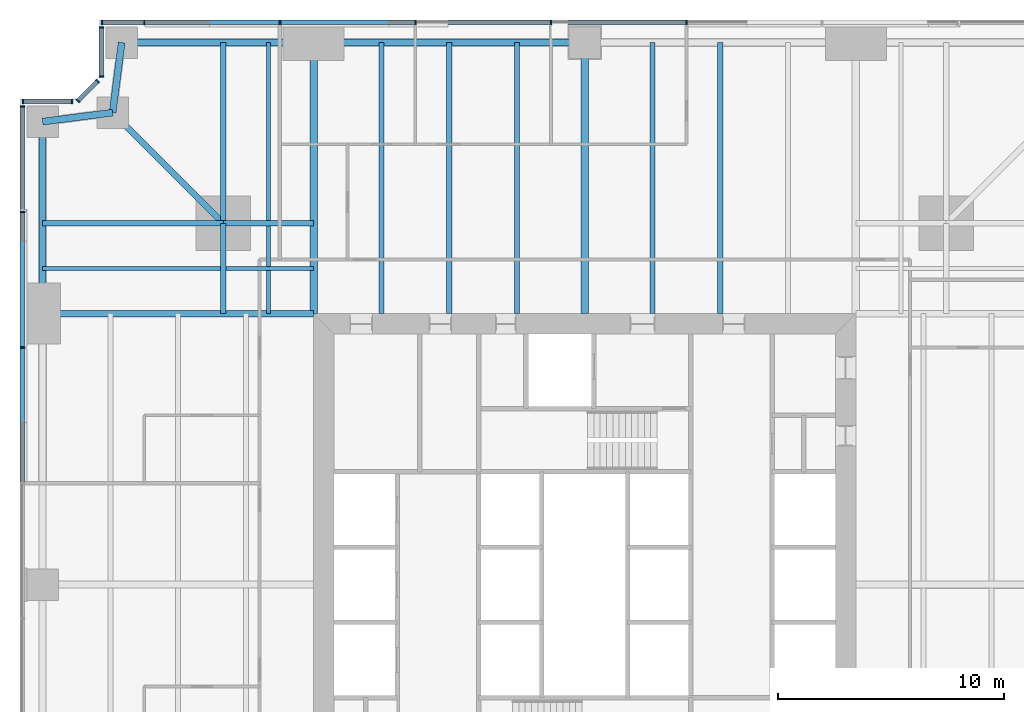
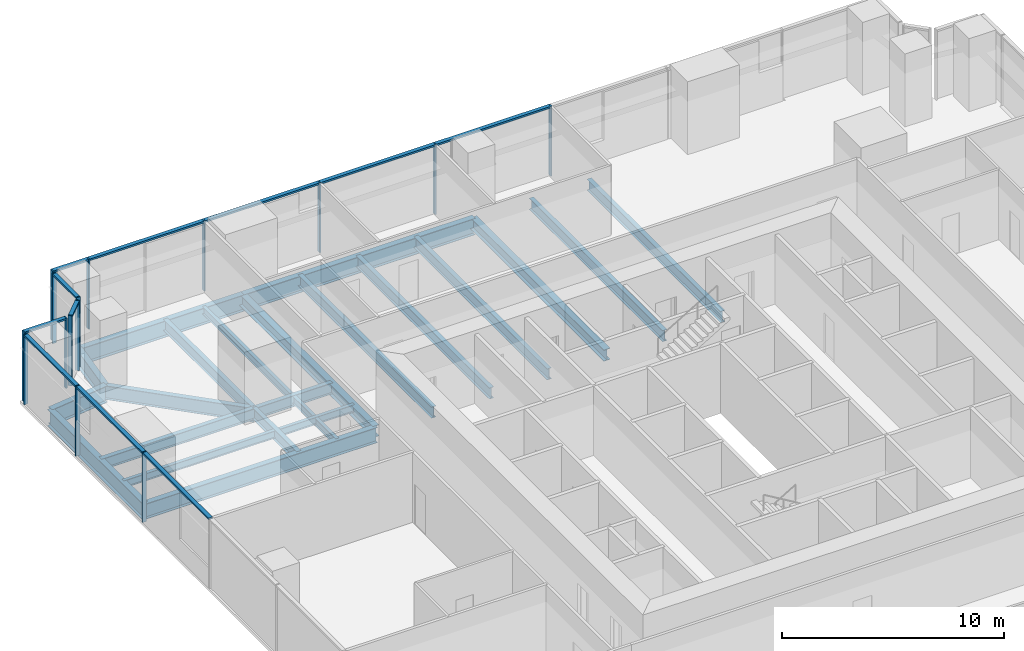
# One storey, part 6 of 16: 26 members, 23 beams, 5 elements without a shape of their own.
"""IFC4 building model written with IfcOpenShell, lengths in metres."""

from ifc_helpers import new_model, si_unit, direction, frame, origin, origin_2d, place, context, subcontext, project, spatial, rectangle, i_section, extrude, material, material_profile, profile_set, type_object, element, aggregate, save


model = new_model("IFC4")

# Units and contexts
model_context = context("Model", 3, precision=1e-05, world=origin(), true_north=direction((0.0, 1.0)))
body_context = subcontext(model_context, "Body", "Model", "MODEL_VIEW")
ifc_project = project(units=[si_unit("LENGTHUNIT", "METRE"), si_unit("AREAUNIT", "SQUARE_METRE"), si_unit("VOLUMEUNIT", "CUBIC_METRE"), si_unit("PLANEANGLEUNIT", "RADIAN"), si_unit("MASSUNIT", "GRAM", prefix="KILO")], contexts=[model_context])

# Site, building, storey
site_placement = place(None, origin())
site = spatial("IfcSite", under=ifc_project, at=site_placement, CompositionType="ELEMENT")
building_placement = place(site_placement, origin())
building = spatial("IfcBuilding", under=site, at=building_placement, Name="Fenwick Lantern Interchange", CompositionType="ELEMENT")
storey_placement = place(building_placement, frame((0.0, 0.0, 75.0)))
storey = spatial("IfcBuildingStorey", under=building, at=storey_placement, Name="L17", CompositionType="ELEMENT", Elevation=75.0)

# Beams
ifc_material_1 = material(Name="Steel ASTM A992 Grade 50", Category="steel")
ifc_material_profile_1 = material_profile(ifc_material_1, i_section(OverallWidth=0.3046875, OverallDepth=0.911865234375, WebThickness=0.015869140625, FlangeThickness=0.02392578125, at=origin_2d()), Name="W36X150")
ifc_profile_set_1 = profile_set([ifc_material_profile_1], Name="Steel ASTM A992 Grade 50")
beam_type_1 = type_object("IfcBeamType", Name="EDGE BEAM W36X150", PredefinedType="SPANDREL", material=ifc_profile_set_1)
beam_1_placement = place(storey_placement, frame((25.0, 49.0, -0.60595703125), z_axis=(-1.0, 0.0, 0.0), x_axis=(0.0, -1.0, 0.0)))
element("IfcBeam", 1, at=beam_1_placement, inside=storey, type_object=beam_type_1, Name="L17/FR/N/EB3", PredefinedType="SPANDREL", context=body_context, shape_type="SweptSolid", body=[
    extrude(i_section(OverallWidth=0.3046875, OverallDepth=0.911865234375, WebThickness=0.015869140625, FlangeThickness=0.02392578125, at=origin_2d()), origin(), (0.0, 0.0, 1.0), 12.0),
])
beam_2_placement = place(storey_placement, frame((13.0, 49.0, -0.60595703125), z_axis=(-1.0, 0.0, 0.0), x_axis=(0.0, -1.0, 0.0)))
element("IfcBeam", 2, at=beam_2_placement, inside=storey, type_object=beam_type_1, Name="L17/FR/N/EB4", PredefinedType="SPANDREL", context=body_context, shape_type="SweptSolid", body=[
    extrude(i_section(OverallWidth=0.3046875, OverallDepth=0.911865234375, WebThickness=0.015869140625, FlangeThickness=0.02392578125, at=origin_2d()), origin(), (0.0, 0.0, 1.0), 8.5),
])
for number, where, z_axis, x_axis, name in (
    (3, (4.5, 49.0, -0.60595703125), (-0.127936641807, -0.991782342897, 0.0), (0.991782342897, -0.127936641807, 0.0), "L17/FR/N/EBR1"),
    (4, (4.10009765625, 45.89990234375, -0.60595703125), (-0.991782342897, -0.127936641807, 0.0), (0.127936641807, -0.991782342897, 0.0), "L17/FR/N/EBR2"),
):
    element("IfcBeam", number, at=place(storey_placement, frame(where, z_axis=z_axis, x_axis=x_axis)), inside=storey, type_object=beam_type_1, Name=name, PredefinedType="SPANDREL", context=body_context, shape_type="SweptSolid", body=[
        extrude(i_section(OverallWidth=0.3046875, OverallDepth=0.911865234375, WebThickness=0.015869140625, FlangeThickness=0.02392578125, at=origin_2d()), origin(), (0.0, 0.0, 1.0), 3.125732421875),
    ])
beam_3_placement = place(storey_placement, frame((1.0, 45.5, -0.60595703125), z_axis=(0.0, -1.0, 0.0), x_axis=(1.0, 0.0, 0.0)))
element("IfcBeam", 5, at=beam_3_placement, inside=storey, type_object=beam_type_1, Name="L17/FR/W/EB1", PredefinedType="SPANDREL", context=body_context, shape_type="SweptSolid", body=[
    extrude(i_section(OverallWidth=0.3046875, OverallDepth=0.911865234375, WebThickness=0.015869140625, FlangeThickness=0.02392578125, at=origin_2d()), origin(), (0.0, 0.0, 1.0), 8.5),
])
ifc_material_profile_2 = material_profile(ifc_material_1, i_section(OverallWidth=0.22900390625, OverallDepth=0.612060546875, WebThickness=0.011962890625, FlangeThickness=0.01953125, at=origin_2d()), Name="W24X84")
ifc_profile_set_2 = profile_set([ifc_material_profile_2], Name="Steel ASTM A992 Grade 50")
beam_type_2 = type_object("IfcBeamType", Name="FLOOR BEAM W24X84", PredefinedType="BEAM", material=ifc_profile_set_2)
for number, where, z_axis, x_axis, name in (
    (6, (31.0, 49.0, -0.4560546875), (0.0, -1.0, 0.0), (1.0, 0.0, 0.0), "L17/FR/N/R03"),
    (7, (28.0, 49.0, -0.4560546875), (0.0, -1.0, 0.0), (1.0, 0.0, 0.0), "L17/FR/N/R04"),
    (8, (22.0, 49.0, -0.4560546875), (0.0, -1.0, 0.0), (1.0, 0.0, 0.0), "L17/FR/N/R06"),
    (9, (19.0, 49.0, -0.4560546875), (0.0, -1.0, 0.0), (1.0, 0.0, 0.0), "L17/FR/N/R07"),
    (10, (16.0, 49.0, -0.4560546875), (0.0, -1.0, 0.0), (1.0, 0.0, 0.0), "L17/FR/N/R08"),
):
    element("IfcBeam", number, at=place(storey_placement, frame(where, z_axis=z_axis, x_axis=x_axis)), inside=storey, type_object=beam_type_2, Name=name, PredefinedType="BEAM", context=body_context, shape_type="SweptSolid", body=[
        extrude(i_section(OverallWidth=0.22900390625, OverallDepth=0.612060546875, WebThickness=0.011962890625, FlangeThickness=0.01953125, at=origin_2d()), origin(), (0.0, 0.0, 1.0), 12.0),
    ])
ifc_material_profile_3 = material_profile(ifc_material_1, i_section(OverallWidth=0.177734375, OverallDepth=0.406494140625, WebThickness=0.0078125, FlangeThickness=0.012939453125, at=origin_2d()), Name="W16X40")
ifc_profile_set_3 = profile_set([ifc_material_profile_3], Name="Steel ASTM A992 Grade 50")
beam_type_3 = type_object("IfcBeamType", Name="INFILL BEAM W16X40", PredefinedType="JOIST", material=ifc_profile_set_3)
beam_4_placement = place(storey_placement, frame((1.0, 39.0, -0.353271484375), z_axis=(1.0, 0.0, 0.0), x_axis=(0.0, 1.0, 0.0)))
element("IfcBeam", 11, at=beam_4_placement, inside=storey, type_object=beam_type_3, Name="L17/FR/W/J1", PredefinedType="JOIST", context=body_context, shape_type="SweptSolid", body=[
    extrude(i_section(OverallWidth=0.177734375, OverallDepth=0.406494140625, WebThickness=0.0078125, FlangeThickness=0.012939453125, at=origin_2d()), origin(), (0.0, 0.0, 1.0), 7.885498046875),
])
beam_5_placement = place(storey_placement, frame((9.114501953125, 39.0, -0.353271484375), z_axis=(1.0, 0.0, 0.0), x_axis=(0.0, 1.0, 0.0)))
element("IfcBeam", 12, at=beam_5_placement, inside=storey, type_object=beam_type_3, Name="L17/FR/W/J2", PredefinedType="JOIST", context=body_context, shape_type="SweptSolid", body=[
    extrude(i_section(OverallWidth=0.177734375, OverallDepth=0.406494140625, WebThickness=0.0078125, FlangeThickness=0.012939453125, at=origin_2d()), origin(), (0.0, 0.0, 1.0), 3.885498046875),
])
beam_6_placement = place(storey_placement, frame((11.0, 49.0, -0.353271484375), z_axis=(0.0, -1.0, 0.0), x_axis=(1.0, 0.0, 0.0)))
element("IfcBeam", 13, at=beam_6_placement, inside=storey, type_object=beam_type_3, Name="L17/FR/W/J3", PredefinedType="JOIST", context=body_context, shape_type="SweptSolid", body=[
    extrude(i_section(OverallWidth=0.177734375, OverallDepth=0.406494140625, WebThickness=0.0078125, FlangeThickness=0.012939453125, at=origin_2d()), origin(), (0.0, 0.0, 1.0), 7.885498046875),
])
beam_7_placement = place(storey_placement, frame((11.0, 40.885498046875, -0.353271484375), z_axis=(0.0, -1.0, 0.0), x_axis=(1.0, 0.0, 0.0)))
element("IfcBeam", 14, at=beam_7_placement, inside=storey, type_object=beam_type_3, Name="L17/FR/W/J4", PredefinedType="JOIST", context=body_context, shape_type="SweptSolid", body=[
    extrude(i_section(OverallWidth=0.177734375, OverallDepth=0.406494140625, WebThickness=0.0078125, FlangeThickness=0.012939453125, at=origin_2d()), origin(), (0.0, 0.0, 1.0), 1.796630859375),
])
beam_8_placement = place(storey_placement, frame((11.0, 38.9111328125, -0.353271484375), z_axis=(0.0, -1.0, 0.0), x_axis=(1.0, 0.0, 0.0)))
element("IfcBeam", 15, at=beam_8_placement, inside=storey, type_object=beam_type_3, Name="L17/FR/W/J5", PredefinedType="JOIST", context=body_context, shape_type="SweptSolid", body=[
    extrude(i_section(OverallWidth=0.177734375, OverallDepth=0.406494140625, WebThickness=0.0078125, FlangeThickness=0.012939453125, at=origin_2d()), origin(), (0.0, 0.0, 1.0), 1.9111328125),
])
ifc_material_profile_4 = material_profile(ifc_material_1, i_section(OverallWidth=0.22900390625, OverallDepth=0.612060546875, WebThickness=0.011962890625, FlangeThickness=0.01953125, at=origin_2d()), Name="W24X84")
ifc_profile_set_4 = profile_set([ifc_material_profile_4], Name="Steel ASTM A992 Grade 50")
beam_type_4 = type_object("IfcBeamType", Name="MEGA COLUMN BEAM W24X84", PredefinedType="BEAM", material=ifc_profile_set_4)
for number, where, z_axis, x_axis, name in (
    (16, (9.0, 41.0, -0.4560546875), (-1.0, 0.0, 0.0), (0.0, -1.0, 0.0), "L17/FR/W/MB1"),
    (17, (9.0, 41.0, -0.4560546875), (0.0, 1.0, 0.0), (-1.0, 0.0, 0.0), "L17/FR/W/MB2"),
):
    element("IfcBeam", number, at=place(storey_placement, frame(where, z_axis=z_axis, x_axis=x_axis)), inside=storey, type_object=beam_type_4, Name=name, PredefinedType="BEAM", context=body_context, shape_type="SweptSolid", body=[
        extrude(i_section(OverallWidth=0.22900390625, OverallDepth=0.612060546875, WebThickness=0.011962890625, FlangeThickness=0.01953125, at=origin_2d()), origin(), (0.0, 0.0, 1.0), 8.0),
    ])
for number, where, z_axis, x_axis, name in (
    (18, (9.0, 41.0, -0.4560546875), (0.0, -1.0, 0.0), (1.0, 0.0, 0.0), "L17/FR/W/MB3"),
    (19, (9.0, 41.0, -0.4560546875), (1.0, 0.0, 0.0), (0.0, 1.0, 0.0), "L17/FR/W/MB4"),
):
    element("IfcBeam", number, at=place(storey_placement, frame(where, z_axis=z_axis, x_axis=x_axis)), inside=storey, type_object=beam_type_4, Name=name, PredefinedType="BEAM", context=body_context, shape_type="SweptSolid", body=[
        extrude(i_section(OverallWidth=0.22900390625, OverallDepth=0.612060546875, WebThickness=0.011962890625, FlangeThickness=0.01953125, at=origin_2d()), origin(), (0.0, 0.0, 1.0), 4.0),
    ])
ifc_material_profile_5 = material_profile(ifc_material_1, i_section(OverallWidth=0.32763671875, OverallDepth=0.622314453125, WebThickness=0.015380859375, FlangeThickness=0.0244140625, at=origin_2d()), Name="W24X131")
ifc_profile_set_5 = profile_set([ifc_material_profile_5], Name="Steel ASTM A992 Grade 50")
beam_type_5 = type_object("IfcBeamType", Name="MOMENT-CONNECTED GIRDER W24X131", PredefinedType="BEAM", material=ifc_profile_set_5)
for number, where, z_axis, x_axis, name in (
    (20, (25.0, 49.0, -0.461181640625), (0.0, -1.0, 0.0), (1.0, 0.0, 0.0), "L17/FR/N/R05"),
    (21, (13.0, 49.0, -0.461181640625), (0.0, -1.0, 0.0), (1.0, 0.0, 0.0), "L17/FR/N/R09"),
):
    element("IfcBeam", number, at=place(storey_placement, frame(where, z_axis=z_axis, x_axis=x_axis)), inside=storey, type_object=beam_type_5, Name=name, PredefinedType="BEAM", context=body_context, shape_type="SweptSolid", body=[
        extrude(i_section(OverallWidth=0.32763671875, OverallDepth=0.622314453125, WebThickness=0.015380859375, FlangeThickness=0.0244140625, at=origin_2d()), origin(), (0.0, 0.0, 1.0), 12.0),
    ])
ifc_material_profile_6 = material_profile(ifc_material_1, i_section(OverallWidth=0.2919921875, OverallDepth=0.845703125, WebThickness=0.015380859375, FlangeThickness=0.0244140625, at=origin_2d()), Name="W33X141")
ifc_profile_set_6 = profile_set([ifc_material_profile_6], Name="Steel ASTM A992 Grade 50")
beam_type_6 = type_object("IfcBeamType", Name="MOMENT-CONNECTED GIRDER W33X141", PredefinedType="BEAM", material=ifc_profile_set_6)
beam_9_placement = place(storey_placement, frame((1.0, 37.0, -0.572998046875), z_axis=(1.0, 0.0, 0.0), x_axis=(0.0, 1.0, 0.0)))
element("IfcBeam", 22, at=beam_9_placement, inside=storey, type_object=beam_type_6, Name="L17/FR/W/R01", PredefinedType="BEAM", context=body_context, shape_type="SweptSolid", body=[
    extrude(i_section(OverallWidth=0.2919921875, OverallDepth=0.845703125, WebThickness=0.015380859375, FlangeThickness=0.0244140625, at=origin_2d()), origin(), (0.0, 0.0, 1.0), 12.0),
])
ifc_material_profile_7 = material_profile(ifc_material_1, i_section(OverallWidth=0.2666015625, OverallDepth=0.7568359375, WebThickness=0.013916015625, FlangeThickness=0.019287109375, at=origin_2d()), Name="W30X108")
ifc_profile_set_7 = profile_set([ifc_material_profile_7], Name="Steel ASTM A992 Grade 50")
beam_type_7 = type_object("IfcBeamType", Name="NOTCH BEAM W30X108", PredefinedType="BEAM", material=ifc_profile_set_7)
beam_10_placement = place(storey_placement, frame((9.0, 41.0, -0.528564453125), z_axis=(-0.707106781187, 0.707106781187, 0.0), x_axis=(-0.707106781187, -0.707106781187, 0.0)))
element("IfcBeam", 23, at=beam_10_placement, inside=storey, type_object=beam_type_7, Name="L17/FR/W/TG", PredefinedType="BEAM", context=body_context, shape_type="SweptSolid", body=[
    extrude(i_section(OverallWidth=0.2666015625, OverallDepth=0.7568359375, WebThickness=0.013916015625, FlangeThickness=0.019287109375, at=origin_2d()), origin(), (0.0, 0.0, 1.0), 6.929443359375),
])

# Curtain wall, members
ifc_material_2 = material(Name="Aluminium curtain wall frame", Category="aluminium")
curtain_wall_type = type_object("IfcCurtainWallType", Name="OFFICE CURTAIN WALL", PredefinedType="USERDEFINED", material=ifc_material_2)
curtain_wall_1_placement = place(storey_placement, origin())
curtain_wall_1 = element("IfcCurtainWall", 24, at=curtain_wall_1_placement, inside=storey, type_object=curtain_wall_type, Name="Office curtain wall 09", ObjectType="OFFICE CURTAIN WALL", PredefinedType="USERDEFINED")
ifc_material_3 = material(Name="Aluminium extrusion", Category="aluminium")
ifc_material_profile_8 = material_profile(ifc_material_3, rectangle(XDim=0.199951171875, YDim=0.06494140625, at=origin_2d()), Name="OFFICE CURTAIN WALL MULLION 65 X 200")
ifc_profile_set_8 = profile_set([ifc_material_profile_8], Name="Aluminium extrusion")
member_type_1 = type_object("IfcMemberType", Name="OFFICE CURTAIN WALL MULLION 65 X 200", PredefinedType="MULLION", material=ifc_profile_set_8)
member_1_placement = place(storey_placement, frame((29.5, 49.89990234375, 0.0), z_axis=(0.0, 0.0, 1.0), x_axis=(0.0, -1.0, 0.0)))
member_1 = element("IfcMember", 25, at=member_1_placement, type_object=member_type_1, Name="L17/CW/09/M03", PredefinedType="MULLION", context=body_context, shape_type="SweptSolid", body=[
    extrude(rectangle(XDim=0.199951171875, YDim=0.06494140625, at=origin_2d()), origin(), (0.0, 0.0, 1.0), 3.85009765625),
])
member_2_placement = place(storey_placement, frame((23.5, 49.89990234375, 0.0), z_axis=(0.0, 0.0, 1.0), x_axis=(0.0, -1.0, 0.0)))
member_2 = element("IfcMember", 26, at=member_2_placement, type_object=member_type_1, Name="L17/CW/09/M04", PredefinedType="MULLION", context=body_context, shape_type="SweptSolid", body=[
    extrude(rectangle(XDim=0.199951171875, YDim=0.06494140625, at=origin_2d()), origin(), (0.0, 0.0, 1.0), 3.85009765625),
])
member_3_placement = place(storey_placement, frame((17.5, 49.89990234375, 0.0), z_axis=(0.0, 0.0, 1.0), x_axis=(0.0, -1.0, 0.0)))
member_3 = element("IfcMember", 27, at=member_3_placement, type_object=member_type_1, Name="L17/CW/09/M05", PredefinedType="MULLION", context=body_context, shape_type="SweptSolid", body=[
    extrude(rectangle(XDim=0.199951171875, YDim=0.06494140625, at=origin_2d()), origin(), (0.0, 0.0, 1.0), 3.85009765625),
])
member_4_placement = place(storey_placement, frame((11.5, 49.89990234375, 0.0), z_axis=(0.0, 0.0, 1.0), x_axis=(0.0, -1.0, 0.0)))
member_4 = element("IfcMember", 28, at=member_4_placement, type_object=member_type_1, Name="L17/CW/09/M06", PredefinedType="MULLION", context=body_context, shape_type="SweptSolid", body=[
    extrude(rectangle(XDim=0.199951171875, YDim=0.06494140625, at=origin_2d()), origin(), (0.0, 0.0, 1.0), 3.85009765625),
])
member_5_placement = place(storey_placement, frame((5.5, 49.89990234375, 0.0), z_axis=(0.0, 0.0, 1.0), x_axis=(0.0, -1.0, 0.0)))
member_5 = element("IfcMember", 29, at=member_5_placement, type_object=member_type_1, Name="L17/CW/09/M07", PredefinedType="MULLION", context=body_context, shape_type="SweptSolid", body=[
    extrude(rectangle(XDim=0.199951171875, YDim=0.06494140625, at=origin_2d()), origin(), (0.0, 0.0, 1.0), 3.85009765625),
])
member_6_placement = place(storey_placement, frame((3.632568359375, 49.89990234375, 0.0), z_axis=(0.0, 0.0, 1.0), x_axis=(0.0, -1.0, 0.0)))
member_6 = element("IfcMember", 30, at=member_6_placement, type_object=member_type_1, Name="L17/CW/09/M08", PredefinedType="MULLION", context=body_context, shape_type="SweptSolid", body=[
    extrude(rectangle(XDim=0.199951171875, YDim=0.06494140625, at=origin_2d()), origin(), (0.0, 0.0, 1.0), 3.85009765625),
])

curtain_wall_2_placement = place(storey_placement, origin())
curtain_wall_2 = element("IfcCurtainWall", 31, at=curtain_wall_2_placement, inside=storey, type_object=curtain_wall_type, Name="Office curtain wall 10", ObjectType="OFFICE CURTAIN WALL", PredefinedType="USERDEFINED")
member_7_placement = place(storey_placement, frame((3.60009765625, 49.66748046875, 0.0), z_axis=(0.0, 0.0, 1.0), x_axis=(1.0, 0.0, 0.0)))
member_7 = element("IfcMember", 32, at=member_7_placement, type_object=member_type_1, Name="L17/CW/10/M00", PredefinedType="MULLION", context=body_context, shape_type="SweptSolid", body=[
    extrude(rectangle(XDim=0.199951171875, YDim=0.06494140625, at=origin_2d()), origin(), (0.0, 0.0, 1.0), 3.85009765625),
])
member_8_placement = place(storey_placement, frame((3.60009765625, 47.490966796875, 0.0), z_axis=(0.0, 0.0, 1.0), x_axis=(1.0, 0.0, 0.0)))
member_8 = element("IfcMember", 33, at=member_8_placement, type_object=member_type_1, Name="L17/CW/10/M01", PredefinedType="MULLION", context=body_context, shape_type="SweptSolid", body=[
    extrude(rectangle(XDim=0.199951171875, YDim=0.06494140625, at=origin_2d()), origin(), (0.0, 0.0, 1.0), 3.85009765625),
])

curtain_wall_3_placement = place(storey_placement, origin())
curtain_wall_3 = element("IfcCurtainWall", 34, at=curtain_wall_3_placement, inside=storey, type_object=curtain_wall_type, Name="Office curtain wall 11", ObjectType="OFFICE CURTAIN WALL", PredefinedType="USERDEFINED")
member_9_placement = place(storey_placement, frame((3.435546875, 47.294189453125, 0.0), z_axis=(0.0, 0.0, 1.0), x_axis=(0.707106781187, -0.707106781187, 0.0)))
member_9 = element("IfcMember", 35, at=member_9_placement, type_object=member_type_1, Name="L17/CW/11/M00", PredefinedType="MULLION", context=body_context, shape_type="SweptSolid", body=[
    extrude(rectangle(XDim=0.199951171875, YDim=0.06494140625, at=origin_2d()), origin(), (0.0, 0.0, 1.0), 3.85009765625),
])
member_10_placement = place(storey_placement, frame((2.564453125, 46.423095703125, 0.0), z_axis=(0.0, 0.0, 1.0), x_axis=(0.707106781187, -0.707106781187, 0.0)))
member_10 = element("IfcMember", 36, at=member_10_placement, type_object=member_type_1, Name="L17/CW/11/M01", PredefinedType="MULLION", context=body_context, shape_type="SweptSolid", body=[
    extrude(rectangle(XDim=0.199951171875, YDim=0.06494140625, at=origin_2d()), origin(), (0.0, 0.0, 1.0), 3.85009765625),
])

curtain_wall_4_placement = place(storey_placement, origin())
curtain_wall_4 = element("IfcCurtainWall", 37, at=curtain_wall_4_placement, inside=storey, type_object=curtain_wall_type, Name="Office curtain wall 12", ObjectType="OFFICE CURTAIN WALL", PredefinedType="USERDEFINED")
member_11_placement = place(storey_placement, frame((2.308837890625, 46.39990234375, 0.0), z_axis=(0.0, 0.0, 1.0), x_axis=(0.0, -1.0, 0.0)))
member_11 = element("IfcMember", 38, at=member_11_placement, type_object=member_type_1, Name="L17/CW/12/M00", PredefinedType="MULLION", context=body_context, shape_type="SweptSolid", body=[
    extrude(rectangle(XDim=0.199951171875, YDim=0.06494140625, at=origin_2d()), origin(), (0.0, 0.0, 1.0), 3.85009765625),
])
member_12_placement = place(storey_placement, frame((0.132568359375, 46.39990234375, 0.0), z_axis=(0.0, 0.0, 1.0), x_axis=(0.0, -1.0, 0.0)))
member_12 = element("IfcMember", 39, at=member_12_placement, type_object=member_type_1, Name="L17/CW/12/M01", PredefinedType="MULLION", context=body_context, shape_type="SweptSolid", body=[
    extrude(rectangle(XDim=0.199951171875, YDim=0.06494140625, at=origin_2d()), origin(), (0.0, 0.0, 1.0), 3.85009765625),
])

curtain_wall_5_placement = place(storey_placement, origin())
curtain_wall_5 = element("IfcCurtainWall", 40, at=curtain_wall_5_placement, inside=storey, type_object=curtain_wall_type, Name="Office curtain wall 13", ObjectType="OFFICE CURTAIN WALL", PredefinedType="USERDEFINED")
member_13_placement = place(storey_placement, frame((0.10009765625, 46.16748046875, 0.0), z_axis=(0.0, 0.0, 1.0), x_axis=(1.0, 0.0, 0.0)))
member_13 = element("IfcMember", 41, at=member_13_placement, type_object=member_type_1, Name="L17/CW/13/M00", PredefinedType="MULLION", context=body_context, shape_type="SweptSolid", body=[
    extrude(rectangle(XDim=0.199951171875, YDim=0.06494140625, at=origin_2d()), origin(), (0.0, 0.0, 1.0), 3.85009765625),
])
member_14_placement = place(storey_placement, frame((0.10009765625, 41.5, 0.0), z_axis=(0.0, 0.0, 1.0), x_axis=(1.0, 0.0, 0.0)))
member_14 = element("IfcMember", 42, at=member_14_placement, type_object=member_type_1, Name="L17/CW/13/M01", PredefinedType="MULLION", context=body_context, shape_type="SweptSolid", body=[
    extrude(rectangle(XDim=0.199951171875, YDim=0.06494140625, at=origin_2d()), origin(), (0.0, 0.0, 1.0), 3.85009765625),
])
member_15_placement = place(storey_placement, frame((0.10009765625, 35.5, 0.0), z_axis=(0.0, 0.0, 1.0), x_axis=(1.0, 0.0, 0.0)))
member_15 = element("IfcMember", 43, at=member_15_placement, type_object=member_type_1, Name="L17/CW/13/M02", PredefinedType="MULLION", context=body_context, shape_type="SweptSolid", body=[
    extrude(rectangle(XDim=0.199951171875, YDim=0.06494140625, at=origin_2d()), origin(), (0.0, 0.0, 1.0), 3.85009765625),
])

# Member
ifc_material_profile_9 = material_profile(ifc_material_3, rectangle(XDim=0.199951171875, YDim=0.10009765625, at=origin_2d()), Name="OFFICE CURTAIN WALL TRANSOM 100 X 200")
ifc_profile_set_9 = profile_set([ifc_material_profile_9], Name="Aluminium extrusion")
member_type_2 = type_object("IfcMemberType", Name="OFFICE CURTAIN WALL TRANSOM 100 X 200", PredefinedType="MULLION", material=ifc_profile_set_9)
member_16_placement = place(storey_placement, frame((29.467529296875, 49.89990234375, 3.800048828125), z_axis=(-1.0, 0.0, 0.0), x_axis=(0.0, -1.0, 0.0)))
member_16 = element("IfcMember", 44, at=member_16_placement, type_object=member_type_2, Name="L17/CW/09/T03", PredefinedType="MULLION", context=body_context, shape_type="SweptSolid", body=[
    extrude(rectangle(XDim=0.199951171875, YDim=0.10009765625, at=origin_2d()), origin(), (0.0, 0.0, 1.0), 5.93505859375),
])

member_17_placement = place(storey_placement, frame((23.467529296875, 49.89990234375, 3.800048828125), z_axis=(-1.0, 0.0, 0.0), x_axis=(0.0, -1.0, 0.0)))
member_17 = element("IfcMember", 45, at=member_17_placement, type_object=member_type_2, Name="L17/CW/09/T04", PredefinedType="MULLION", context=body_context, shape_type="SweptSolid", body=[
    extrude(rectangle(XDim=0.199951171875, YDim=0.10009765625, at=origin_2d()), origin(), (0.0, 0.0, 1.0), 5.93505859375),
])

member_18_placement = place(storey_placement, frame((17.467529296875, 49.89990234375, 3.800048828125), z_axis=(-1.0, 0.0, 0.0), x_axis=(0.0, -1.0, 0.0)))
member_18 = element("IfcMember", 46, at=member_18_placement, type_object=member_type_2, Name="L17/CW/09/T05", PredefinedType="MULLION", context=body_context, shape_type="SweptSolid", body=[
    extrude(rectangle(XDim=0.199951171875, YDim=0.10009765625, at=origin_2d()), origin(), (0.0, 0.0, 1.0), 5.93505859375),
])

member_19_placement = place(storey_placement, frame((11.467529296875, 49.89990234375, 3.800048828125), z_axis=(-1.0, 0.0, 0.0), x_axis=(0.0, -1.0, 0.0)))
member_19 = element("IfcMember", 47, at=member_19_placement, type_object=member_type_2, Name="L17/CW/09/T06", PredefinedType="MULLION", context=body_context, shape_type="SweptSolid", body=[
    extrude(rectangle(XDim=0.199951171875, YDim=0.10009765625, at=origin_2d()), origin(), (0.0, 0.0, 1.0), 5.93505859375),
])

member_20_placement = place(storey_placement, frame((5.467529296875, 49.89990234375, 3.800048828125), z_axis=(-1.0, 0.0, 0.0), x_axis=(0.0, -1.0, 0.0)))
member_20 = element("IfcMember", 48, at=member_20_placement, type_object=member_type_2, Name="L17/CW/09/T07", PredefinedType="MULLION", context=body_context, shape_type="SweptSolid", body=[
    extrude(rectangle(XDim=0.199951171875, YDim=0.10009765625, at=origin_2d()), origin(), (0.0, 0.0, 1.0), 1.802490234375),
])

aggregate(curtain_wall_1, [member_1, member_2, member_3, member_4, member_5, member_6, member_16, member_17, member_18, member_19, member_20])

member_21_placement = place(storey_placement, frame((3.60009765625, 49.635009765625, 3.800048828125), z_axis=(0.0, -1.0, 0.0), x_axis=(1.0, 0.0, 0.0)))
member_21 = element("IfcMember", 49, at=member_21_placement, type_object=member_type_2, Name="L17/CW/10/T00", PredefinedType="MULLION", context=body_context, shape_type="SweptSolid", body=[
    extrude(rectangle(XDim=0.199951171875, YDim=0.10009765625, at=origin_2d()), origin(), (0.0, 0.0, 1.0), 2.111328125),
])

aggregate(curtain_wall_2, [member_7, member_8, member_21])

member_22_placement = place(storey_placement, frame((3.41259765625, 47.271240234375, 3.800048828125), z_axis=(-0.707106781187, -0.707106781187, 0.0), x_axis=(0.707106781187, -0.707106781187, 0.0)))
member_22 = element("IfcMember", 50, at=member_22_placement, type_object=member_type_2, Name="L17/CW/11/T00", PredefinedType="MULLION", context=body_context, shape_type="SweptSolid", body=[
    extrude(rectangle(XDim=0.199951171875, YDim=0.10009765625, at=origin_2d()), origin(), (0.0, 0.0, 1.0), 1.1669921875),
])

aggregate(curtain_wall_3, [member_9, member_10, member_22])

member_23_placement = place(storey_placement, frame((2.2763671875, 46.39990234375, 3.800048828125), z_axis=(-1.0, 0.0, 0.0), x_axis=(0.0, -1.0, 0.0)))
member_23 = element("IfcMember", 51, at=member_23_placement, type_object=member_type_2, Name="L17/CW/12/T00", PredefinedType="MULLION", context=body_context, shape_type="SweptSolid", body=[
    extrude(rectangle(XDim=0.199951171875, YDim=0.10009765625, at=origin_2d()), origin(), (0.0, 0.0, 1.0), 2.111328125),
])

aggregate(curtain_wall_4, [member_11, member_12, member_23])

member_24_placement = place(storey_placement, frame((0.10009765625, 46.135009765625, 3.800048828125), z_axis=(0.0, -1.0, 0.0), x_axis=(1.0, 0.0, 0.0)))
member_24 = element("IfcMember", 52, at=member_24_placement, type_object=member_type_2, Name="L17/CW/13/T00", PredefinedType="MULLION", context=body_context, shape_type="SweptSolid", body=[
    extrude(rectangle(XDim=0.199951171875, YDim=0.10009765625, at=origin_2d()), origin(), (0.0, 0.0, 1.0), 4.6025390625),
])

member_25_placement = place(storey_placement, frame((0.10009765625, 41.467529296875, 3.800048828125), z_axis=(0.0, -1.0, 0.0), x_axis=(1.0, 0.0, 0.0)))
member_25 = element("IfcMember", 53, at=member_25_placement, type_object=member_type_2, Name="L17/CW/13/T01", PredefinedType="MULLION", context=body_context, shape_type="SweptSolid", body=[
    extrude(rectangle(XDim=0.199951171875, YDim=0.10009765625, at=origin_2d()), origin(), (0.0, 0.0, 1.0), 5.93505859375),
])

member_26_placement = place(storey_placement, frame((0.10009765625, 35.467529296875, 3.800048828125), z_axis=(0.0, -1.0, 0.0), x_axis=(1.0, 0.0, 0.0)))
member_26 = element("IfcMember", 54, at=member_26_placement, type_object=member_type_2, Name="L17/CW/13/T02", PredefinedType="MULLION", context=body_context, shape_type="SweptSolid", body=[
    extrude(rectangle(XDim=0.199951171875, YDim=0.10009765625, at=origin_2d()), origin(), (0.0, 0.0, 1.0), 5.93505859375),
])

aggregate(curtain_wall_5, [member_13, member_14, member_15, member_24, member_25, member_26])

save(model, "model.ifc")
